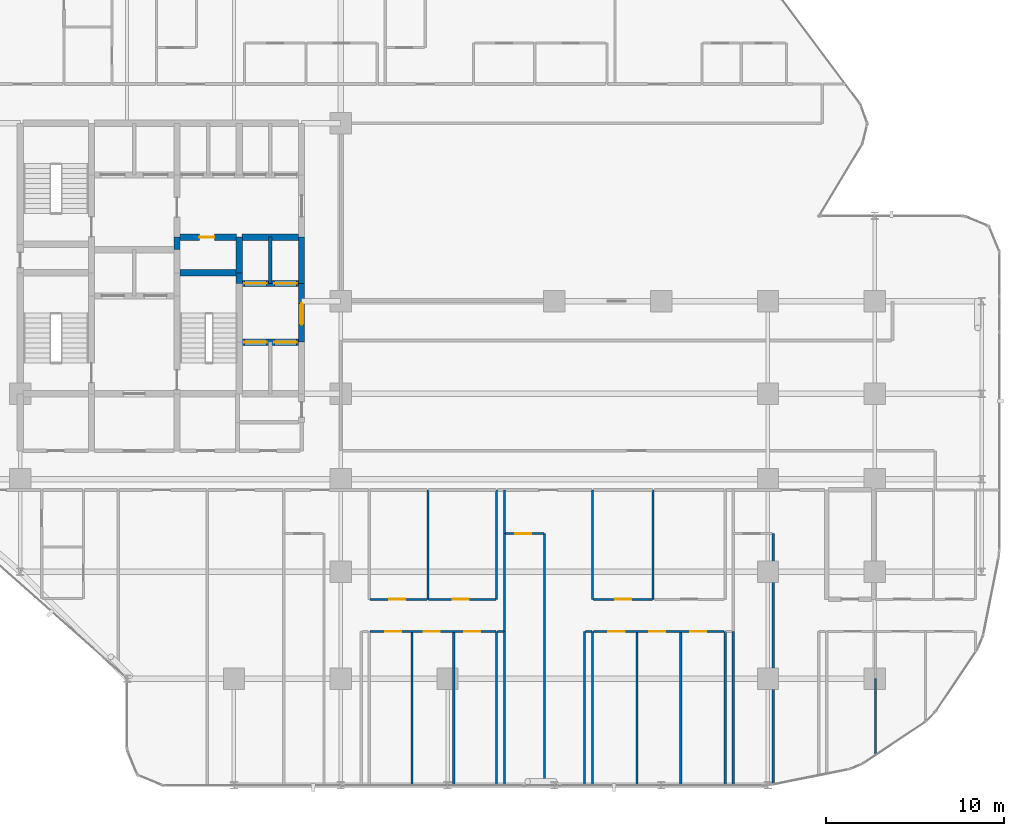
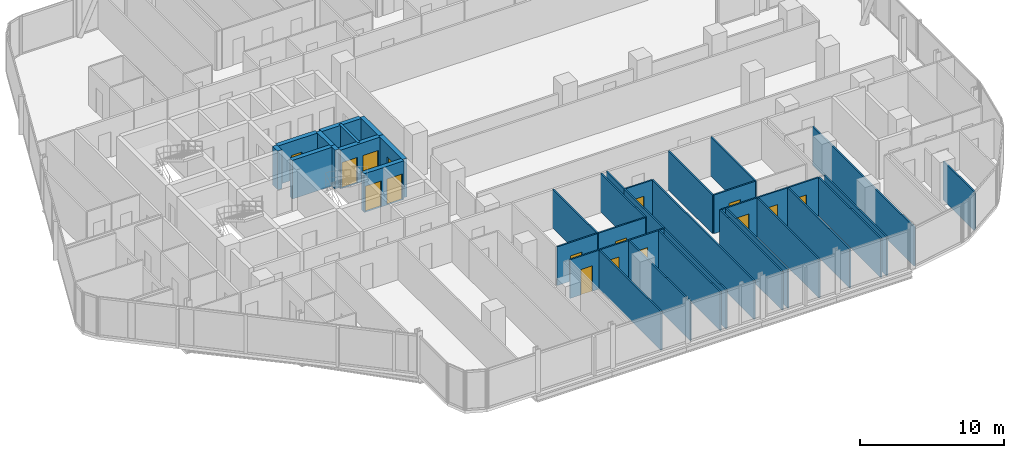
# One storey, part 28 of 34: 38 walls, 16 doors, 16 openings.
"""IFC4 building model written with IfcOpenShell, lengths in metres."""

import ifcopenshell
import ifcopenshell.guid

model = None  # the IFC model being written
_history = None  # IfcOwnerHistory: only IFC2X3 demands one
_inside = {}  # id of a spatial element -> (the spatial element, [elements in it])
_under = {}  # id of a project, library or spatial element -> (it, [spatial elements below it])
_declared = {}  # id of a project -> (the project, [libraries it declares])
_typed = {}  # id of a type object -> (the type object, [elements of that type])
_made_of = {}  # id of a material, layer set ... -> (it, [elements and type objects made of it])


def new_model(schema):
    """Start an empty IFC model of exactly this schema.

    Asked for "IFC4X3", IfcOpenShell would pick the latest addendum, in which some entities
    have other attributes; the version numbers below select the first issue.
    IFC2X3 requires an IfcOwnerHistory on every rooted entity: one is made here for all.
    """
    global model, _history
    if schema == "IFC4X3":
        model = ifcopenshell.file(schema_version=(4, 3, 0, 0))
    else:
        model = ifcopenshell.file(schema=schema)
    _inside.clear()
    _under.clear()
    _declared.clear()
    _typed.clear()
    _made_of.clear()
    _history = None
    if model.schema == "IFC2X3":
        org = make("IfcOrganization", Name="unknown")
        user = make(
            "IfcPersonAndOrganization",
            ThePerson=make("IfcPerson", FamilyName="unknown"),
            TheOrganization=org,
        )
        app = make(
            "IfcApplication",
            ApplicationDeveloper=org,
            Version="unknown",
            ApplicationFullName="unknown",
            ApplicationIdentifier="unknown",
        )
        _history = make(
            "IfcOwnerHistory",
            OwningUser=user,
            OwningApplication=app,
            ChangeAction="ADDED",
            CreationDate=0,
        )
    return model


def make(cls, **values):
    """One entity of the class cls with the attributes given. An attribute that is None is left unset."""
    return model.create_entity(
        cls, **{name: value for name, value in values.items() if value is not None}
    )


def rooted(cls, **values):
    """An entity with a GlobalId (a new one), such as an element, a storey or a relation."""
    return make(cls, GlobalId=ifcopenshell.guid.new(), OwnerHistory=_history, **values)


def si_unit(unit_type, name, prefix=None):
    """IfcSIUnit, for example si_unit("LENGTHUNIT", "METRE", prefix="MILLI")."""
    return make("IfcSIUnit", UnitType=unit_type, Prefix=prefix, Name=name)


def assignment(units):
    """IfcUnitAssignment: the units of a project."""
    return None if units is None else make("IfcUnitAssignment", Units=units)


def point(xyz):
    """IfcCartesianPoint."""
    return None if xyz is None else make("IfcCartesianPoint", Coordinates=xyz)


def direction(xyz):
    """IfcDirection."""
    return None if xyz is None else make("IfcDirection", DirectionRatios=xyz)


def frame(location, z_axis=None, x_axis=None):
    """IfcAxis2Placement3D, a coordinate frame: its origin and axes. An axis left out is left unset."""
    return make(
        "IfcAxis2Placement3D",
        Location=point(location),
        Axis=direction(z_axis),
        RefDirection=direction(x_axis),
    )


def frame_2d(location, x_axis=None):
    """IfcAxis2Placement2D, a coordinate frame in the plane: its origin and x axis."""
    return make(
        "IfcAxis2Placement2D", Location=point(location), RefDirection=direction(x_axis)
    )


def origin():
    """The frame at (0, 0, 0) with its axes left unset."""
    return frame((0.0, 0.0, 0.0))


def place(relative_to, where):
    """IfcLocalPlacement: puts the frame where relative to a parent placement (None: the world)."""
    return make(
        "IfcLocalPlacement", PlacementRelTo=relative_to, RelativePlacement=where
    )


def context(
    kind, dimensions, precision=None, world=None, true_north=None, identifier=None
):
    """IfcGeometricRepresentationContext, for example the 3D "Model" context."""
    return make(
        "IfcGeometricRepresentationContext",
        ContextIdentifier=identifier,
        ContextType=kind,
        CoordinateSpaceDimension=dimensions,
        Precision=precision,
        WorldCoordinateSystem=world,
        TrueNorth=true_north,
    )


def subcontext(parent, identifier, kind, view, scale=None):
    """IfcGeometricRepresentationSubContext, for example "Body" below "Model"."""
    return make(
        "IfcGeometricRepresentationSubContext",
        ContextIdentifier=identifier,
        ContextType=kind,
        ParentContext=parent,
        TargetScale=scale,
        TargetView=view,
    )


def project(units=None, contexts=None):
    """IfcProject with its units and contexts."""
    return rooted(
        "IfcProject",
        Name="project",
        RepresentationContexts=contexts,
        UnitsInContext=assignment(units),
    )


def spatial(cls, under=None, at=None, **own):
    """A site, building, storey or space (cls), placed at a placement, below another one or the project."""
    s = rooted(cls, ObjectPlacement=at, **own)
    if under is not None:
        _under.setdefault(under.id(), (under, []))[1].append(s)
    return s


def profile(cls, at=None, kind="AREA", **sizes):
    """A parametric profile (cls). Its sizes go by their IFC names, for example OverallWidth=200.0."""
    return make(cls, ProfileType=kind, Position=at, **sizes)


def rectangle(**sizes):
    """IfcRectangleProfileDef."""
    return profile("IfcRectangleProfileDef", **sizes)


def extrude(swept, where, along, depth):
    """IfcExtrudedAreaSolid: the profile swept, set in the frame where, extruded along a direction by depth."""
    return make(
        "IfcExtrudedAreaSolid",
        SweptArea=swept,
        Position=where,
        ExtrudedDirection=direction(along),
        Depth=depth,
    )


def shape(context_of_items, identifier, shape_type, items):
    """IfcShapeRepresentation: the items that make up one representation, for example the "Body"."""
    return make(
        "IfcShapeRepresentation",
        ContextOfItems=context_of_items,
        RepresentationIdentifier=identifier,
        RepresentationType=shape_type,
        Items=items,
    )


def material(Name=None, Category=None):
    """IfcMaterial."""
    return make("IfcMaterial", Name=Name, Category=Category)


def layer(
    of_material, thickness, ventilated=None, Name=None, Category=None, Priority=None
):
    """IfcMaterialLayer: one layer of a wall or slab, of a material (None: an air gap)."""
    return make(
        "IfcMaterialLayer",
        Material=of_material,
        LayerThickness=thickness,
        IsVentilated=ventilated,
        Name=Name,
        Category=Category,
        Priority=Priority,
    )


def layer_set(layers, Name=None):
    """IfcMaterialLayerSet."""
    return make("IfcMaterialLayerSet", MaterialLayers=layers, LayerSetName=Name)


def made_of(thing, what):
    """Note that an element or type object is made of a material, layer set ...; save() writes the relation."""
    if what is not None:
        _made_of.setdefault(what.id(), (what, []))[1].append(thing)
    return thing


def type_object(cls, material=None, **own):
    """A type object (cls), such as IfcWallType, which elements share."""
    return made_of(rooted(cls, **own), material)


def element(
    cls,
    number,
    at=None,
    inside=None,
    cuts=None,
    type_object=None,
    material=None,
    context=None,
    identifier="Body",
    shape_type=None,
    held_by="IfcProductDefinitionShape",
    body=None,
    shapes=None,
    **own,
):
    """One element of the class cls, such as IfcWall. Its Tag is "e" and its number.

    at: its placement. inside: the storey or other place that contains it. cuts: it is an
    opening in that element (IfcRelVoidsElement). A single representation is given by context,
    identifier, shape_type and body (its items); several are given by shapes. held_by: the class
    of the entity that holds the representations. save() writes the other relations.
    """
    e = rooted(cls, Tag="e%d" % number, ObjectPlacement=at, **own)
    if body is not None:
        shapes = [shape(context, identifier, shape_type, body)]
    if shapes is not None:
        e.Representation = make(held_by, Representations=shapes)
    if inside is not None:
        _inside.setdefault(inside.id(), (inside, []))[1].append(e)
    if cuts is not None:
        rooted(
            "IfcRelVoidsElement", RelatingBuildingElement=cuts, RelatedOpeningElement=e
        )
    if type_object is not None:
        _typed.setdefault(type_object.id(), (type_object, []))[1].append(e)
    return made_of(e, material)


def fill(opening, filler):
    """IfcRelFillsElement: the door or window that sits in an opening."""
    return rooted(
        "IfcRelFillsElement",
        RelatingOpeningElement=opening,
        RelatedBuildingElement=filler,
    )


def aggregate(whole, parts):
    """IfcRelAggregates: a whole, such as a stair, and the parts it consists of."""
    return rooted("IfcRelAggregates", RelatingObject=whole, RelatedObjects=parts)


def save(model, path):
    """Write the relations noted so far, then the file.

    IfcRelAggregates (storeys below a building ...), IfcRelContainedInSpatialStructure (elements
    in a storey), IfcRelDefinesByType, IfcRelAssociatesMaterial and IfcRelDeclares: one each for
    every whole, place, type object, material and project.
    """
    for whole, parts in _under.values():
        aggregate(whole, parts)
    for where, things in _inside.values():
        rooted(
            "IfcRelContainedInSpatialStructure",
            RelatedElements=things,
            RelatingStructure=where,
        )
    for kind, things in _typed.values():
        rooted("IfcRelDefinesByType", RelatedObjects=things, RelatingType=kind)
    for what, things in _made_of.values():
        rooted("IfcRelAssociatesMaterial", RelatedObjects=things, RelatingMaterial=what)
    for by, libraries in _declared.values():
        rooted("IfcRelDeclares", RelatingContext=by, RelatedDefinitions=libraries)
    model.write(path)


model = new_model("IFC4")

# Units and contexts
model_context = context("Model", 3, precision=1e-05, world=origin(), true_north=direction((0.0, 1.0)))
body_context = subcontext(model_context, "Body", "Model", "MODEL_VIEW")
ifc_project = project(units=[si_unit("LENGTHUNIT", "METRE"), si_unit("AREAUNIT", "SQUARE_METRE"), si_unit("VOLUMEUNIT", "CUBIC_METRE"), si_unit("PLANEANGLEUNIT", "RADIAN"), si_unit("MASSUNIT", "GRAM", prefix="KILO")], contexts=[model_context])

# Site, building, storey
site_placement = place(None, origin())
site = spatial("IfcSite", under=ifc_project, at=site_placement, CompositionType="ELEMENT")
building_placement = place(site_placement, origin())
building = spatial("IfcBuilding", under=site, at=building_placement, Name="Keshet Zoharim Tower", CompositionType="ELEMENT")
storey_placement = place(building_placement, frame((0.0, 0.0, 77.5)))
storey = spatial("IfcBuildingStorey", under=building, at=storey_placement, Name="L18", CompositionType="ELEMENT", Elevation=77.5)

# Walls
ifc_material_1 = material(Name="Concrete C60/75", Category="concrete")
ifc_layer_1 = layer(ifc_material_1, 0.35009765625)
ifc_layer_set_1 = layer_set([ifc_layer_1], Name="Concrete C60/75")
wall_type_1 = type_object("IfcWallType", Name="WL-CORE-350", PredefinedType="SHEAR", material=ifc_layer_set_1)
wall_1_placement = place(storey_placement, frame((23.800048828125, 30.800048828125, 0.0), z_axis=(0.0, 0.0, 1.0), x_axis=(0.0, 1.0, 0.0)))
element("IfcWall", 1, at=wall_1_placement, inside=storey, type_object=wall_type_1, Name="L18 Core Shear Wall 037", PredefinedType="SHEAR", context=body_context, shape_type="SweptSolid", body=[
    extrude(rectangle(XDim=0.699951171875, YDim=0.35009765625, at=frame_2d((0.35009765625, 0.0))), origin(), (0.0, 0.0, 1.0), 3.280029296875),
])
wall_2_placement = place(storey_placement, frame((27.300048828125, 28.89990234375, 0.0), z_axis=(0.0, 0.0, 1.0), x_axis=(0.0, 1.0, 0.0)))
element("IfcWall", 2, at=wall_2_placement, inside=storey, type_object=wall_type_1, Name="L18 Core Shear Wall 048", PredefinedType="SHEAR", context=body_context, shape_type="SweptSolid", body=[
    extrude(rectangle(XDim=0.60009765625, YDim=0.35009765625, at=frame_2d((0.300048828125, 0.0))), origin(), (0.0, 0.0, 1.0), 3.280029296875),
])
wall_3_placement = place(storey_placement, frame((27.300048828125, 29.5, 0.0), z_axis=(0.0, 0.0, 1.0), x_axis=(0.0, 1.0, 0.0)))
element("IfcWall", 3, at=wall_3_placement, inside=storey, type_object=wall_type_1, Name="L18 Core Shear Wall 049", PredefinedType="SHEAR", context=body_context, shape_type="SweptSolid", body=[
    extrude(rectangle(XDim=2.0, YDim=0.35009765625, at=frame_2d((1.0, 0.0))), origin(), (0.0, 0.0, 1.0), 3.280029296875),
])

# Wall, opening, door
wall_4_placement = place(storey_placement, frame((30.800048828125, 25.60009765625, 0.0), z_axis=(0.0, 0.0, 1.0), x_axis=(0.0, 1.0, 0.0)))
wall_4 = element("IfcWall", 4, at=wall_4_placement, inside=storey, type_object=wall_type_1, Name="L18 Core Shear Wall 062", PredefinedType="SHEAR", context=body_context, shape_type="SweptSolid", body=[
    extrude(rectangle(XDim=3.2998046875, YDim=0.35009765625, at=frame_2d((1.64990234375, 0.0))), origin(), (0.0, 0.0, 1.0), 3.280029296875),
])
opening_1_placement = place(wall_4_placement, frame((0.97802734375, 0.0, 0.0)))
opening_1 = element("IfcOpeningElement", 5, at=opening_1_placement, cuts=wall_4, Name="Opening D-F612", PredefinedType="OPENING", context=body_context, shape_type="SweptSolid", body=[
    extrude(rectangle(XDim=1.199951171875, YDim=2.199951171875, at=frame_2d((0.60009765625, 1.10009765625))), frame((0.0, 0.18505859375, 0.0), z_axis=(0.0, -1.0, 0.0), x_axis=(1.0, 0.0, 0.0)), (0.0, 0.0, 1.0), 0.3701171875),
])
ifc_material_2 = material(Name="Hardwood Timber", Category="wood")
door_type_1 = type_object("IfcDoorType", Name="DR-FD60-120", OperationType="NOTDEFINED", PredefinedType="DOOR", material=ifc_material_2)
door_1_placement = place(opening_1_placement, origin())
door_1 = element("IfcDoor", 6, at=door_1_placement, inside=storey, type_object=door_type_1, Name="L18 East Lift Lobby Fire Door", OperationType="SINGLE_SWING_RIGHT", OverallHeight=2.199951171875, OverallWidth=1.199951171875, PredefinedType="DOOR", context=body_context, shape_type="SweptSolid", body=[
    extrude(rectangle(XDim=1.199951171875, YDim=2.199951171875, at=frame_2d((0.60009765625, 1.10009765625))), frame((0.0, 0.02490234375, 0.0), z_axis=(0.0, -1.0, 0.0), x_axis=(1.0, 0.0, 0.0)), (0.0, 0.0, 1.0), 0.050048828125),
])
fill(opening_1, door_1)

# Wall
wall_5_placement = place(storey_placement, frame((30.800048828125, 28.89990234375, 0.0), z_axis=(0.0, 0.0, 1.0), x_axis=(0.0, 1.0, 0.0)))
element("IfcWall", 7, at=wall_5_placement, inside=storey, type_object=wall_type_1, Name="L18 Core Shear Wall 063", PredefinedType="SHEAR", context=body_context, shape_type="SweptSolid", body=[
    extrude(rectangle(XDim=2.60009765625, YDim=0.35009765625, at=frame_2d((1.300048828125, 0.0))), origin(), (0.0, 0.0, 1.0), 3.280029296875),
])

# Wall, openings, doors
wall_6_placement = place(storey_placement, frame((27.4599609375, 25.60009765625, 0.0), z_axis=(0.0, 0.0, 1.0), x_axis=(1.0, 0.0, 0.0)))
wall_6 = element("IfcWall", 8, at=wall_6_placement, inside=storey, type_object=wall_type_1, Name="L18 Core Shear Wall 178", PredefinedType="SHEAR", context=body_context, shape_type="SweptSolid", body=[
    extrude(rectangle(XDim=3.179931640625, YDim=0.35009765625, at=frame_2d((1.58984375, 0.0))), origin(), (0.0, 0.0, 1.0), 3.280029296875),
])
opening_2_placement = place(wall_6_placement, frame((0.1201171875, 0.0, 0.0)))
opening_2 = element("IfcOpeningElement", 9, at=opening_2_placement, cuts=wall_6, Name="Opening LD-01", PredefinedType="OPENING", context=body_context, shape_type="SweptSolid", body=[
    extrude(rectangle(XDim=1.25, YDim=2.199951171875, at=frame_2d((0.625, 1.10009765625))), frame((0.0, 0.18505859375, 0.0), z_axis=(0.0, -1.0, 0.0), x_axis=(1.0, 0.0, 0.0)), (0.0, 0.0, 1.0), 0.3701171875),
])
opening_3_placement = place(wall_6_placement, frame((1.81005859375, 0.0, 0.0)))
opening_3 = element("IfcOpeningElement", 10, at=opening_3_placement, cuts=wall_6, Name="Opening LD-01", PredefinedType="OPENING", context=body_context, shape_type="SweptSolid", body=[
    extrude(rectangle(XDim=1.25, YDim=2.199951171875, at=frame_2d((0.625, 1.10009765625))), frame((0.0, 0.18505859375, 0.0), z_axis=(0.0, -1.0, 0.0), x_axis=(1.0, 0.0, 0.0)), (0.0, 0.0, 1.0), 0.3701171875),
])
ifc_material_3 = material(Name="Steel S355", Category="steel")
door_type_2 = type_object("IfcDoorType", Name="DR-LD01-125", OperationType="DOUBLE_DOOR_SLIDING", PredefinedType="DOOR", material=ifc_material_3)
door_2_placement = place(opening_2_placement, origin())
door_2 = element("IfcDoor", 11, at=door_2_placement, inside=storey, type_object=door_type_2, Name="L18 Passenger Lift Landing Door LF-07", OperationType="DOUBLE_DOOR_SLIDING", OverallHeight=2.199951171875, OverallWidth=1.25, PredefinedType="DOOR", context=body_context, shape_type="SweptSolid", body=[
    extrude(rectangle(XDim=1.25, YDim=2.199951171875, at=frame_2d((0.625, 1.10009765625))), frame((0.0, 0.02490234375, 0.0), z_axis=(0.0, -1.0, 0.0), x_axis=(1.0, 0.0, 0.0)), (0.0, 0.0, 1.0), 0.050048828125),
])
fill(opening_2, door_2)
door_3_placement = place(opening_3_placement, origin())
door_3 = element("IfcDoor", 12, at=door_3_placement, inside=storey, type_object=door_type_2, Name="L18 Passenger Lift Landing Door LF-08", OperationType="DOUBLE_DOOR_SLIDING", OverallHeight=2.199951171875, OverallWidth=1.25, PredefinedType="DOOR", context=body_context, shape_type="SweptSolid", body=[
    extrude(rectangle(XDim=1.25, YDim=2.199951171875, at=frame_2d((0.625, 1.10009765625))), frame((0.0, 0.02490234375, 0.0), z_axis=(0.0, -1.0, 0.0), x_axis=(1.0, 0.0, 0.0)), (0.0, 0.0, 1.0), 0.050048828125),
])
fill(opening_3, door_3)

wall_7_placement = place(storey_placement, frame((27.4599609375, 28.89990234375, 0.0), z_axis=(0.0, 0.0, 1.0), x_axis=(1.0, 0.0, 0.0)))
wall_7 = element("IfcWall", 13, at=wall_7_placement, inside=storey, type_object=wall_type_1, Name="L18 Core Shear Wall 186", PredefinedType="SHEAR", context=body_context, shape_type="SweptSolid", body=[
    extrude(rectangle(XDim=3.179931640625, YDim=0.35009765625, at=frame_2d((1.58984375, 0.0))), origin(), (0.0, 0.0, 1.0), 3.280029296875),
])
opening_4_placement = place(wall_7_placement, frame((0.1201171875, 0.0, 0.0)))
opening_4 = element("IfcOpeningElement", 14, at=opening_4_placement, cuts=wall_7, Name="Opening LD-01", PredefinedType="OPENING", context=body_context, shape_type="SweptSolid", body=[
    extrude(rectangle(XDim=1.25, YDim=2.199951171875, at=frame_2d((0.625, 1.10009765625))), frame((0.0, 0.18505859375, 0.0), z_axis=(0.0, -1.0, 0.0), x_axis=(1.0, 0.0, 0.0)), (0.0, 0.0, 1.0), 0.3701171875),
])
opening_5_placement = place(wall_7_placement, frame((1.81005859375, 0.0, 0.0)))
opening_5 = element("IfcOpeningElement", 15, at=opening_5_placement, cuts=wall_7, Name="Opening LD-01", PredefinedType="OPENING", context=body_context, shape_type="SweptSolid", body=[
    extrude(rectangle(XDim=1.25, YDim=2.199951171875, at=frame_2d((0.625, 1.10009765625))), frame((0.0, 0.18505859375, 0.0), z_axis=(0.0, -1.0, 0.0), x_axis=(1.0, 0.0, 0.0)), (0.0, 0.0, 1.0), 0.3701171875),
])
door_4_placement = place(opening_4_placement, origin())
door_4 = element("IfcDoor", 16, at=door_4_placement, inside=storey, type_object=door_type_2, Name="L18 Passenger Lift Landing Door LF-05", OperationType="DOUBLE_DOOR_SLIDING", OverallHeight=2.199951171875, OverallWidth=1.25, PredefinedType="DOOR", context=body_context, shape_type="SweptSolid", body=[
    extrude(rectangle(XDim=1.25, YDim=2.199951171875, at=frame_2d((0.625, 1.10009765625))), frame((0.0, 0.02490234375, 0.0), z_axis=(0.0, -1.0, 0.0), x_axis=(1.0, 0.0, 0.0)), (0.0, 0.0, 1.0), 0.050048828125),
])
fill(opening_4, door_4)
door_5_placement = place(opening_5_placement, origin())
door_5 = element("IfcDoor", 17, at=door_5_placement, inside=storey, type_object=door_type_2, Name="L18 Passenger Lift Landing Door LF-06", OperationType="DOUBLE_DOOR_SLIDING", OverallHeight=2.199951171875, OverallWidth=1.25, PredefinedType="DOOR", context=body_context, shape_type="SweptSolid", body=[
    extrude(rectangle(XDim=1.25, YDim=2.199951171875, at=frame_2d((0.625, 1.10009765625))), frame((0.0, 0.02490234375, 0.0), z_axis=(0.0, -1.0, 0.0), x_axis=(1.0, 0.0, 0.0)), (0.0, 0.0, 1.0), 0.050048828125),
])
fill(opening_5, door_5)

# Wall
wall_8_placement = place(storey_placement, frame((23.9599609375, 29.5, 0.0), z_axis=(0.0, 0.0, 1.0), x_axis=(1.0, 0.0, 0.0)))
element("IfcWall", 18, at=wall_8_placement, inside=storey, type_object=wall_type_1, Name="L18 Core Shear Wall 188", PredefinedType="SHEAR", context=body_context, shape_type="SweptSolid", body=[
    extrude(rectangle(XDim=3.179931640625, YDim=0.35009765625, at=frame_2d((1.58984375, 0.0))), origin(), (0.0, 0.0, 1.0), 3.280029296875),
])

# Wall, opening, door
wall_9_placement = place(storey_placement, frame((23.9599609375, 31.5, 0.0), z_axis=(0.0, 0.0, 1.0), x_axis=(1.0, 0.0, 0.0)))
wall_9 = element("IfcWall", 19, at=wall_9_placement, inside=storey, type_object=wall_type_1, Name="L18 Core Shear Wall 193", PredefinedType="SHEAR", context=body_context, shape_type="SweptSolid", body=[
    extrude(rectangle(XDim=3.179931640625, YDim=0.35009765625, at=frame_2d((1.58984375, 0.0))), origin(), (0.0, 0.0, 1.0), 3.280029296875),
])
opening_6_placement = place(wall_9_placement, frame((1.093994140625, 0.0, 0.0)))
opening_6 = element("IfcOpeningElement", 20, at=opening_6_placement, cuts=wall_9, Name="Opening D-RS85", PredefinedType="OPENING", context=body_context, shape_type="SweptSolid", body=[
    extrude(rectangle(XDim=0.85009765625, YDim=2.10009765625, at=frame_2d((0.425048828125, 1.050048828125))), frame((0.0, 0.18505859375, 0.0), z_axis=(0.0, -1.0, 0.0), x_axis=(1.0, 0.0, 0.0)), (0.0, 0.0, 1.0), 0.3701171875),
])
door_type_3 = type_object("IfcDoorType", Name="DR-RIS-085", OperationType="NOTDEFINED", PredefinedType="DOOR", material=ifc_material_2)
door_6_placement = place(opening_6_placement, origin())
door_6 = element("IfcDoor", 21, at=door_6_placement, inside=storey, type_object=door_type_3, Name="L18 Telecom Riser Access Cupboard Door", OperationType="SINGLE_SWING_RIGHT", OverallHeight=2.10009765625, OverallWidth=0.85009765625, PredefinedType="DOOR", context=body_context, shape_type="SweptSolid", body=[
    extrude(rectangle(XDim=0.85009765625, YDim=2.10009765625, at=frame_2d((0.425048828125, 1.050048828125))), frame((0.0, 0.02490234375, 0.0), z_axis=(0.0, -1.0, 0.0), x_axis=(1.0, 0.0, 0.0)), (0.0, 0.0, 1.0), 0.050048828125),
])
fill(opening_6, door_6)

# Walls
wall_10_placement = place(storey_placement, frame((27.4599609375, 31.5, 0.0), z_axis=(0.0, 0.0, 1.0), x_axis=(1.0, 0.0, 0.0)))
element("IfcWall", 22, at=wall_10_placement, inside=storey, type_object=wall_type_1, Name="L18 Core Shear Wall 194", PredefinedType="SHEAR", context=body_context, shape_type="SweptSolid", body=[
    extrude(rectangle(XDim=3.179931640625, YDim=0.35009765625, at=frame_2d((1.58984375, 0.0))), origin(), (0.0, 0.0, 1.0), 3.280029296875),
])
ifc_material_4 = material(Name="Concrete C50/60", Category="concrete")
ifc_layer_2 = layer(ifc_material_4, 0.199951171875)
ifc_layer_set_2 = layer_set([ifc_layer_2], Name="Concrete C50/60")
wall_type_2 = type_object("IfcWallType", Name="WL-FIRE-200", PredefinedType="STANDARD", material=ifc_layer_set_2)
wall_11_placement = place(storey_placement, frame((29.050048828125, 28.89990234375, 0.0), z_axis=(0.0, 0.0, 1.0), x_axis=(0.0, 1.0, 0.0)))
element("IfcWall", 23, at=wall_11_placement, inside=storey, type_object=wall_type_2, Name="L18 Interior Wall 054", PredefinedType="STANDARD", context=body_context, shape_type="SweptSolid", body=[
    extrude(rectangle(XDim=2.60009765625, YDim=0.199951171875, at=frame_2d((1.300048828125, 0.0))), origin(), (0.0, 0.0, 1.0), 3.280029296875),
])
ifc_material_5 = material(Name="Gypsum Plasterboard", Category="gypsum")
ifc_layer_3 = layer(ifc_material_5, 0.1201171875)
ifc_layer_set_3 = layer_set([ifc_layer_3], Name="Gypsum Plasterboard")
wall_type_3 = type_object("IfcWallType", Name="WL-PART-120", PredefinedType="PARTITIONING", material=ifc_layer_set_3)
for number, where, z_axis, x_axis, name in (
    (24, (37.0, 0.7099609375, 0.0), (0.0, 0.0, 1.0), (0.0, 1.0, 0.0), "L18 Interior Wall 079"),
    (25, (39.35009765625, 0.7099609375, 0.0), (0.0, 0.0, 1.0), (0.0, 1.0, 0.0), "L18 Interior Wall 082"),
    (26, (41.75, 0.7099609375, 0.0), (0.0, 0.0, 1.0), (0.0, 1.0, 0.0), "L18 Interior Wall 086"),
    (27, (42.199951171875, 0.7099609375, 0.0), (0.0, 0.0, 1.0), (0.0, 1.0, 0.0), "L18 Interior Wall 088"),
):
    element("IfcWall", number, at=place(storey_placement, frame(where, z_axis=z_axis, x_axis=x_axis)), inside=storey, type_object=wall_type_3, Name=name, PredefinedType="PARTITIONING", context=body_context, shape_type="SweptSolid", body=[
        extrude(rectangle(XDim=8.64013671875, YDim=0.1201171875, at=frame_2d((4.320068359375, 0.0))), origin(), (0.0, 0.0, 1.0), 3.280029296875),
    ])
wall_12_placement = place(storey_placement, frame((42.199951171875, 9.35009765625, 0.0), z_axis=(0.0, 0.0, 1.0), x_axis=(0.0, 1.0, 0.0)))
element("IfcWall", 28, at=wall_12_placement, inside=storey, type_object=wall_type_3, Name="L18 Interior Wall 089", PredefinedType="PARTITIONING", context=body_context, shape_type="SweptSolid", body=[
    extrude(rectangle(XDim=5.5, YDim=0.1201171875, at=frame_2d((2.75, 0.0))), origin(), (0.0, 0.0, 1.0), 3.280029296875),
])
wall_13_placement = place(storey_placement, frame((42.199951171875, 14.85009765625, 0.0), z_axis=(0.0, 0.0, 1.0), x_axis=(0.0, 1.0, 0.0)))
element("IfcWall", 29, at=wall_13_placement, inside=storey, type_object=wall_type_3, Name="L18 Interior Wall 090", PredefinedType="PARTITIONING", context=body_context, shape_type="SweptSolid", body=[
    extrude(rectangle(XDim=2.449951171875, YDim=0.1201171875, at=frame_2d((1.22509765625, 0.0))), origin(), (0.0, 0.0, 1.0), 3.280029296875),
])
wall_14_placement = place(storey_placement, frame((44.449951171875, 0.7099609375, 0.0), z_axis=(0.0, 0.0, 1.0), x_axis=(0.0, 1.0, 0.0)))
element("IfcWall", 30, at=wall_14_placement, inside=storey, type_object=wall_type_3, Name="L18 Interior Wall 093", PredefinedType="PARTITIONING", context=body_context, shape_type="SweptSolid", body=[
    extrude(rectangle(XDim=14.14013671875, YDim=0.1201171875, at=frame_2d((7.070068359375, 0.0))), origin(), (0.0, 0.0, 1.0), 3.280029296875),
])
for number, where, z_axis, x_axis, name in (
    (31, (46.699951171875, 0.7099609375, 0.0), (0.0, 0.0, 1.0), (0.0, 1.0, 0.0), "L18 Interior Wall 095"),
    (32, (47.14990234375, 0.7099609375, 0.0), (0.0, 0.0, 1.0), (0.0, 1.0, 0.0), "L18 Interior Wall 096"),
):
    element("IfcWall", number, at=place(storey_placement, frame(where, z_axis=z_axis, x_axis=x_axis)), inside=storey, type_object=wall_type_3, Name=name, PredefinedType="PARTITIONING", context=body_context, shape_type="SweptSolid", body=[
        extrude(rectangle(XDim=8.64013671875, YDim=0.1201171875, at=frame_2d((4.320068359375, 0.0))), origin(), (0.0, 0.0, 1.0), 3.280029296875),
    ])
wall_15_placement = place(storey_placement, frame((47.14990234375, 11.14990234375, 0.0), z_axis=(0.0, 0.0, 1.0), x_axis=(0.0, 1.0, 0.0)))
element("IfcWall", 33, at=wall_15_placement, inside=storey, type_object=wall_type_3, Name="L18 Interior Wall 097", PredefinedType="PARTITIONING", context=body_context, shape_type="SweptSolid", body=[
    extrude(rectangle(XDim=6.150146484375, YDim=0.1201171875, at=frame_2d((3.0751953125, 0.0))), origin(), (0.0, 0.0, 1.0), 3.280029296875),
])
for number, where, z_axis, x_axis, name in (
    (34, (49.64990234375, 0.7099609375, 0.0), (0.0, 0.0, 1.0), (0.0, 1.0, 0.0), "L18 Interior Wall 101"),
    (35, (52.10009765625, 0.7099609375, 0.0), (0.0, 0.0, 1.0), (0.0, 1.0, 0.0), "L18 Interior Wall 103"),
    (36, (54.60009765625, 0.7099609375, 0.0), (0.0, 0.0, 1.0), (0.0, 1.0, 0.0), "L18 Interior Wall 106"),
    (37, (55.050048828125, 0.7099609375, 0.0), (0.0, 0.0, 1.0), (0.0, 1.0, 0.0), "L18 Interior Wall 108"),
):
    element("IfcWall", number, at=place(storey_placement, frame(where, z_axis=z_axis, x_axis=x_axis)), inside=storey, type_object=wall_type_3, Name=name, PredefinedType="PARTITIONING", context=body_context, shape_type="SweptSolid", body=[
        extrude(rectangle(XDim=8.64013671875, YDim=0.1201171875, at=frame_2d((4.320068359375, 0.0))), origin(), (0.0, 0.0, 1.0), 3.280029296875),
    ])
wall_16_placement = place(storey_placement, frame((57.300048828125, 0.76904296875, 0.0), z_axis=(0.0, 0.0, 1.0), x_axis=(0.0, 1.0, 0.0)))
element("IfcWall", 38, at=wall_16_placement, inside=storey, type_object=wall_type_3, Name="L18 Interior Wall 112", PredefinedType="PARTITIONING", context=body_context, shape_type="SweptSolid", body=[
    extrude(rectangle(XDim=14.0810546875, YDim=0.1201171875, at=frame_2d((7.04052734375, 0.0))), origin(), (0.0, 0.0, 1.0), 3.280029296875),
])
wall_17_placement = place(storey_placement, frame((63.050048828125, 2.41796875, 0.0), z_axis=(0.0, 0.0, 1.0), x_axis=(0.0, 1.0, 0.0)))
element("IfcWall", 39, at=wall_17_placement, inside=storey, type_object=wall_type_3, Name="L18 Interior Wall 119", PredefinedType="PARTITIONING", context=body_context, shape_type="SweptSolid", body=[
    extrude(rectangle(XDim=4.281982421875, YDim=0.1201171875, at=frame_2d((2.14111328125, 0.0))), origin(), (0.0, 0.0, 1.0), 3.280029296875),
])

# Wall, openings, doors
wall_18_placement = place(storey_placement, frame((34.635009765625, 9.35009765625, 0.0), z_axis=(0.0, 0.0, 1.0), x_axis=(1.0, 0.0, 0.0)))
wall_18 = element("IfcWall", 40, at=wall_18_placement, inside=storey, type_object=wall_type_3, Name="L18 Interior Wall 127", PredefinedType="PARTITIONING", context=body_context, shape_type="SweptSolid", body=[
    extrude(rectangle(XDim=7.080078125, YDim=0.1201171875, at=frame_2d((3.5400390625, 0.0))), origin(), (0.0, 0.0, 1.0), 3.280029296875),
])
opening_7_placement = place(wall_18_placement, frame((0.875, 0.0, 0.0)))
opening_7 = element("IfcOpeningElement", 41, at=opening_7_placement, cuts=wall_18, Name="Opening D-IN90", PredefinedType="OPENING", context=body_context, shape_type="SweptSolid", body=[
    extrude(rectangle(XDim=0.89990234375, YDim=2.14990234375, at=frame_2d((0.449951171875, 1.074951171875))), frame((0.0, 0.070068359375, 0.0), z_axis=(0.0, -1.0, 0.0), x_axis=(1.0, 0.0, 0.0)), (0.0, 0.0, 1.0), 0.14013671875),
])
opening_8_placement = place(wall_18_placement, frame((3.01904296875, 0.0, 0.0)))
opening_8 = element("IfcOpeningElement", 42, at=opening_8_placement, cuts=wall_18, Name="Opening D-IN90", PredefinedType="OPENING", context=body_context, shape_type="SweptSolid", body=[
    extrude(rectangle(XDim=0.89990234375, YDim=2.14990234375, at=frame_2d((0.449951171875, 1.074951171875))), frame((0.0, 0.070068359375, 0.0), z_axis=(0.0, -1.0, 0.0), x_axis=(1.0, 0.0, 0.0)), (0.0, 0.0, 1.0), 0.14013671875),
])
opening_9_placement = place(wall_18_placement, frame((5.304931640625, 0.0, 0.0)))
opening_9 = element("IfcOpeningElement", 43, at=opening_9_placement, cuts=wall_18, Name="Opening D-IN90", PredefinedType="OPENING", context=body_context, shape_type="SweptSolid", body=[
    extrude(rectangle(XDim=0.89990234375, YDim=2.14990234375, at=frame_2d((0.449951171875, 1.074951171875))), frame((0.0, 0.070068359375, 0.0), z_axis=(0.0, -1.0, 0.0), x_axis=(1.0, 0.0, 0.0)), (0.0, 0.0, 1.0), 0.14013671875),
])
door_type_4 = type_object("IfcDoorType", Name="DR-INT-090", OperationType="NOTDEFINED", PredefinedType="DOOR", material=ifc_material_2)
door_7_placement = place(opening_7_placement, origin())
door_7 = element("IfcDoor", 44, at=door_7_placement, inside=storey, type_object=door_type_4, Name="Apartment 1802 Bedroom 1 Door", OperationType="SINGLE_SWING_RIGHT", OverallHeight=2.14990234375, OverallWidth=0.89990234375, PredefinedType="DOOR", context=body_context, shape_type="SweptSolid", body=[
    extrude(rectangle(XDim=0.89990234375, YDim=2.14990234375, at=frame_2d((0.449951171875, 1.074951171875))), frame((0.0, 0.02490234375, 0.0), z_axis=(0.0, -1.0, 0.0), x_axis=(1.0, 0.0, 0.0)), (0.0, 0.0, 1.0), 0.050048828125),
])
fill(opening_7, door_7)
door_8_placement = place(opening_8_placement, origin())
door_8 = element("IfcDoor", 45, at=door_8_placement, inside=storey, type_object=door_type_4, Name="Apartment 1802 Bedroom 2 Door", OperationType="SINGLE_SWING_LEFT", OverallHeight=2.14990234375, OverallWidth=0.89990234375, PredefinedType="DOOR", context=body_context, shape_type="SweptSolid", body=[
    extrude(rectangle(XDim=0.89990234375, YDim=2.14990234375, at=frame_2d((0.449951171875, 1.074951171875))), frame((0.0, 0.02490234375, 0.0), z_axis=(0.0, -1.0, 0.0), x_axis=(1.0, 0.0, 0.0)), (0.0, 0.0, 1.0), 0.050048828125),
])
fill(opening_8, door_8)
door_9_placement = place(opening_9_placement, origin())
door_9 = element("IfcDoor", 46, at=door_9_placement, inside=storey, type_object=door_type_4, Name="Apartment 1802 Bedroom 3 Door", OperationType="SINGLE_SWING_RIGHT", OverallHeight=2.14990234375, OverallWidth=0.89990234375, PredefinedType="DOOR", context=body_context, shape_type="SweptSolid", body=[
    extrude(rectangle(XDim=0.89990234375, YDim=2.14990234375, at=frame_2d((0.449951171875, 1.074951171875))), frame((0.0, 0.02490234375, 0.0), z_axis=(0.0, -1.0, 0.0), x_axis=(1.0, 0.0, 0.0)), (0.0, 0.0, 1.0), 0.050048828125),
])
fill(opening_9, door_9)

# Walls
wall_19_placement = place(storey_placement, frame((41.804931640625, 9.35009765625, 0.0), z_axis=(0.0, 0.0, 1.0), x_axis=(1.0, 0.0, 0.0)))
element("IfcWall", 47, at=wall_19_placement, inside=storey, type_object=wall_type_3, Name="L18 Interior Wall 128", PredefinedType="PARTITIONING", context=body_context, shape_type="SweptSolid", body=[
    extrude(rectangle(XDim=0.360107421875, YDim=0.1201171875, at=frame_2d((0.18017578125, 0.0))), origin(), (0.0, 0.0, 1.0), 3.280029296875),
])
wall_20_placement = place(storey_placement, frame((46.7451171875, 9.35009765625, 0.0), z_axis=(0.0, 0.0, 1.0), x_axis=(1.0, 0.0, 0.0)))
element("IfcWall", 48, at=wall_20_placement, inside=storey, type_object=wall_type_3, Name="L18 Interior Wall 129", PredefinedType="PARTITIONING", context=body_context, shape_type="SweptSolid", body=[
    extrude(rectangle(XDim=0.35986328125, YDim=0.1201171875, at=frame_2d((0.179931640625, 0.0))), origin(), (0.0, 0.0, 1.0), 3.280029296875),
])

# Wall, openings, doors
wall_21_placement = place(storey_placement, frame((47.195068359375, 9.35009765625, 0.0), z_axis=(0.0, 0.0, 1.0), x_axis=(1.0, 0.0, 0.0)))
wall_21 = element("IfcWall", 49, at=wall_21_placement, inside=storey, type_object=wall_type_3, Name="L18 Interior Wall 130", PredefinedType="PARTITIONING", context=body_context, shape_type="SweptSolid", body=[
    extrude(rectangle(XDim=7.33984375, YDim=0.1201171875, at=frame_2d((3.669921875, 0.0))), origin(), (0.0, 0.0, 1.0), 3.280029296875),
])
opening_10_placement = place(wall_21_placement, frame((0.845947265625, 0.0, 0.0)))
opening_10 = element("IfcOpeningElement", 50, at=opening_10_placement, cuts=wall_21, Name="Opening D-IN90", PredefinedType="OPENING", context=body_context, shape_type="SweptSolid", body=[
    extrude(rectangle(XDim=0.89990234375, YDim=2.14990234375, at=frame_2d((0.449951171875, 1.074951171875))), frame((0.0, 0.070068359375, 0.0), z_axis=(0.0, -1.0, 0.0), x_axis=(1.0, 0.0, 0.0)), (0.0, 0.0, 1.0), 0.14013671875),
])
opening_11_placement = place(wall_21_placement, frame((3.14501953125, 0.0, 0.0)))
opening_11 = element("IfcOpeningElement", 51, at=opening_11_placement, cuts=wall_21, Name="Opening D-IN90", PredefinedType="OPENING", context=body_context, shape_type="SweptSolid", body=[
    extrude(rectangle(XDim=0.89990234375, YDim=2.14990234375, at=frame_2d((0.449951171875, 1.074951171875))), frame((0.0, 0.070068359375, 0.0), z_axis=(0.0, -1.0, 0.0), x_axis=(1.0, 0.0, 0.0)), (0.0, 0.0, 1.0), 0.14013671875),
])
opening_12_placement = place(wall_21_placement, frame((5.448974609375, 0.0, 0.0)))
opening_12 = element("IfcOpeningElement", 52, at=opening_12_placement, cuts=wall_21, Name="Opening D-IN90", PredefinedType="OPENING", context=body_context, shape_type="SweptSolid", body=[
    extrude(rectangle(XDim=0.89990234375, YDim=2.14990234375, at=frame_2d((0.449951171875, 1.074951171875))), frame((0.0, 0.070068359375, 0.0), z_axis=(0.0, -1.0, 0.0), x_axis=(1.0, 0.0, 0.0)), (0.0, 0.0, 1.0), 0.14013671875),
])
door_10_placement = place(opening_10_placement, origin())
door_10 = element("IfcDoor", 53, at=door_10_placement, inside=storey, type_object=door_type_4, Name="Apartment 1803 Bedroom 1 Door", OperationType="SINGLE_SWING_LEFT", OverallHeight=2.14990234375, OverallWidth=0.89990234375, PredefinedType="DOOR", context=body_context, shape_type="SweptSolid", body=[
    extrude(rectangle(XDim=0.89990234375, YDim=2.14990234375, at=frame_2d((0.449951171875, 1.074951171875))), frame((0.0, 0.02490234375, 0.0), z_axis=(0.0, -1.0, 0.0), x_axis=(1.0, 0.0, 0.0)), (0.0, 0.0, 1.0), 0.050048828125),
])
fill(opening_10, door_10)
door_11_placement = place(opening_11_placement, origin())
door_11 = element("IfcDoor", 54, at=door_11_placement, inside=storey, type_object=door_type_4, Name="Apartment 1803 Bedroom 2 Door", OperationType="SINGLE_SWING_RIGHT", OverallHeight=2.14990234375, OverallWidth=0.89990234375, PredefinedType="DOOR", context=body_context, shape_type="SweptSolid", body=[
    extrude(rectangle(XDim=0.89990234375, YDim=2.14990234375, at=frame_2d((0.449951171875, 1.074951171875))), frame((0.0, 0.02490234375, 0.0), z_axis=(0.0, -1.0, 0.0), x_axis=(1.0, 0.0, 0.0)), (0.0, 0.0, 1.0), 0.050048828125),
])
fill(opening_11, door_11)
door_12_placement = place(opening_12_placement, origin())
door_12 = element("IfcDoor", 55, at=door_12_placement, inside=storey, type_object=door_type_4, Name="Apartment 1803 Bedroom 3 Door", OperationType="SINGLE_SWING_LEFT", OverallHeight=2.14990234375, OverallWidth=0.89990234375, PredefinedType="DOOR", context=body_context, shape_type="SweptSolid", body=[
    extrude(rectangle(XDim=0.89990234375, YDim=2.14990234375, at=frame_2d((0.449951171875, 1.074951171875))), frame((0.0, 0.02490234375, 0.0), z_axis=(0.0, -1.0, 0.0), x_axis=(1.0, 0.0, 0.0)), (0.0, 0.0, 1.0), 0.050048828125),
])
fill(opening_12, door_12)

# Wall, opening, door
wall_22_placement = place(storey_placement, frame((34.635009765625, 11.14990234375, 0.0), z_axis=(0.0, 0.0, 1.0), x_axis=(1.0, 0.0, 0.0)))
wall_22 = element("IfcWall", 56, at=wall_22_placement, inside=storey, type_object=wall_type_3, Name="L18 Interior Wall 134", PredefinedType="PARTITIONING", context=body_context, shape_type="SweptSolid", body=[
    extrude(rectangle(XDim=3.2080078125, YDim=0.1201171875, at=frame_2d((1.60400390625, 0.0))), origin(), (0.0, 0.0, 1.0), 3.280029296875),
])
opening_13_placement = place(wall_22_placement, frame((1.0810546875, 0.0, 0.0)))
opening_13 = element("IfcOpeningElement", 57, at=opening_13_placement, cuts=wall_22, Name="Opening D-IN90", PredefinedType="OPENING", context=body_context, shape_type="SweptSolid", body=[
    extrude(rectangle(XDim=0.89990234375, YDim=2.14990234375, at=frame_2d((0.449951171875, 1.074951171875))), frame((0.0, 0.070068359375, 0.0), z_axis=(0.0, -1.0, 0.0), x_axis=(1.0, 0.0, 0.0)), (0.0, 0.0, 1.0), 0.14013671875),
])
door_13_placement = place(opening_13_placement, origin())
door_13 = element("IfcDoor", 58, at=door_13_placement, inside=storey, type_object=door_type_4, Name="Apartment 1802 Kitchen Door", OperationType="SINGLE_SWING_LEFT", OverallHeight=2.14990234375, OverallWidth=0.89990234375, PredefinedType="DOOR", context=body_context, shape_type="SweptSolid", body=[
    extrude(rectangle(XDim=0.89990234375, YDim=2.14990234375, at=frame_2d((0.449951171875, 1.074951171875))), frame((0.0, 0.02490234375, 0.0), z_axis=(0.0, -1.0, 0.0), x_axis=(1.0, 0.0, 0.0)), (0.0, 0.0, 1.0), 0.050048828125),
])
fill(opening_13, door_13)

wall_23_placement = place(storey_placement, frame((47.195068359375, 11.14990234375, 0.0), z_axis=(0.0, 0.0, 1.0), x_axis=(1.0, 0.0, 0.0)))
wall_23 = element("IfcWall", 59, at=wall_23_placement, inside=storey, type_object=wall_type_3, Name="L18 Interior Wall 136", PredefinedType="PARTITIONING", context=body_context, shape_type="SweptSolid", body=[
    extrude(rectangle(XDim=3.327880859375, YDim=0.1201171875, at=frame_2d((1.6640625, 0.0))), origin(), (0.0, 0.0, 1.0), 3.280029296875),
])
opening_14_placement = place(wall_23_placement, frame((1.214111328125, 0.0, 0.0)))
opening_14 = element("IfcOpeningElement", 60, at=opening_14_placement, cuts=wall_23, Name="Opening D-IN90", PredefinedType="OPENING", context=body_context, shape_type="SweptSolid", body=[
    extrude(rectangle(XDim=0.89990234375, YDim=2.14990234375, at=frame_2d((0.449951171875, 1.074951171875))), frame((0.0, 0.070068359375, 0.0), z_axis=(0.0, -1.0, 0.0), x_axis=(1.0, 0.0, 0.0)), (0.0, 0.0, 1.0), 0.14013671875),
])
door_14_placement = place(opening_14_placement, origin())
door_14 = element("IfcDoor", 61, at=door_14_placement, inside=storey, type_object=door_type_4, Name="Apartment 1803 Kitchen Door", OperationType="SINGLE_SWING_LEFT", OverallHeight=2.14990234375, OverallWidth=0.89990234375, PredefinedType="DOOR", context=body_context, shape_type="SweptSolid", body=[
    extrude(rectangle(XDim=0.89990234375, YDim=2.14990234375, at=frame_2d((0.449951171875, 1.074951171875))), frame((0.0, 0.02490234375, 0.0), z_axis=(0.0, -1.0, 0.0), x_axis=(1.0, 0.0, 0.0)), (0.0, 0.0, 1.0), 0.050048828125),
])
fill(opening_14, door_14)

wall_24_placement = place(storey_placement, frame((42.2548828125, 14.85009765625, 0.0), z_axis=(0.0, 0.0, 1.0), x_axis=(1.0, 0.0, 0.0)))
wall_24 = element("IfcWall", 62, at=wall_24_placement, inside=storey, type_object=wall_type_3, Name="L18 Interior Wall 144", PredefinedType="PARTITIONING", context=body_context, shape_type="SweptSolid", body=[
    extrude(rectangle(XDim=2.16015625, YDim=0.1201171875, at=frame_2d((1.080078125, 0.0))), origin(), (0.0, 0.0, 1.0), 3.280029296875),
])
opening_15_placement = place(wall_24_placement, frame((0.552978515625, 0.0, 0.0)))
opening_15 = element("IfcOpeningElement", 63, at=opening_15_placement, cuts=wall_24, Name="Opening D-IN90", PredefinedType="OPENING", context=body_context, shape_type="SweptSolid", body=[
    extrude(rectangle(XDim=0.89990234375, YDim=2.14990234375, at=frame_2d((0.449951171875, 1.074951171875))), frame((0.0, 0.070068359375, 0.0), z_axis=(0.0, -1.0, 0.0), x_axis=(1.0, 0.0, 0.0)), (0.0, 0.0, 1.0), 0.14013671875),
])
door_15_placement = place(opening_15_placement, origin())
door_15 = element("IfcDoor", 64, at=door_15_placement, inside=storey, type_object=door_type_4, Name="Apartment 1803 Formal Dining Room Door", OperationType="SINGLE_SWING_LEFT", OverallHeight=2.14990234375, OverallWidth=0.89990234375, PredefinedType="DOOR", context=body_context, shape_type="SweptSolid", body=[
    extrude(rectangle(XDim=0.89990234375, YDim=2.14990234375, at=frame_2d((0.449951171875, 1.074951171875))), frame((0.0, 0.02490234375, 0.0), z_axis=(0.0, -1.0, 0.0), x_axis=(1.0, 0.0, 0.0)), (0.0, 0.0, 1.0), 0.050048828125),
])
fill(opening_15, door_15)

# Walls
ifc_layer_4 = layer(ifc_material_5, 0.1201171875)
ifc_layer_set_4 = layer_set([ifc_layer_4], Name="Gypsum Plasterboard")
wall_type_4 = type_object("IfcWallType", Name="WL-WET-120", PredefinedType="PARTITIONING", material=ifc_layer_set_4)
for number, where, z_axis, x_axis, name in (
    (65, (37.89990234375, 11.14990234375, 0.0), (0.0, 0.0, 1.0), (0.0, 1.0, 0.0), "L18 Interior Wall 081"),
    (66, (41.75, 11.14990234375, 0.0), (0.0, 0.0, 1.0), (0.0, 1.0, 0.0), "L18 Interior Wall 087"),
    (67, (50.550048828125, 11.14990234375, 0.0), (0.0, 0.0, 1.0), (0.0, 1.0, 0.0), "L18 Interior Wall 102"),
):
    element("IfcWall", number, at=place(storey_placement, frame(where, z_axis=z_axis, x_axis=x_axis)), inside=storey, type_object=wall_type_4, Name=name, PredefinedType="PARTITIONING", context=body_context, shape_type="SweptSolid", body=[
        extrude(rectangle(XDim=6.150146484375, YDim=0.1201171875, at=frame_2d((3.0751953125, 0.0))), origin(), (0.0, 0.0, 1.0), 3.280029296875),
    ])

# Wall, opening, door
wall_25_placement = place(storey_placement, frame((37.93310546875, 11.14990234375, 0.0), z_axis=(0.0, 0.0, 1.0), x_axis=(1.0, 0.0, 0.0)))
wall_25 = element("IfcWall", 68, at=wall_25_placement, inside=storey, type_object=wall_type_4, Name="L18 Interior Wall 135", PredefinedType="PARTITIONING", context=body_context, shape_type="SweptSolid", body=[
    extrude(rectangle(XDim=3.781982421875, YDim=0.1201171875, at=frame_2d((1.89111328125, 0.0))), origin(), (0.0, 0.0, 1.0), 3.280029296875),
])
opening_16_placement = place(wall_25_placement, frame((1.368896484375, 0.0, 0.0)))
opening_16 = element("IfcOpeningElement", 69, at=opening_16_placement, cuts=wall_25, Name="Opening D-WT90", PredefinedType="OPENING", context=body_context, shape_type="SweptSolid", body=[
    extrude(rectangle(XDim=0.89990234375, YDim=2.10009765625, at=frame_2d((0.449951171875, 1.050048828125))), frame((0.0, 0.070068359375, 0.0), z_axis=(0.0, -1.0, 0.0), x_axis=(1.0, 0.0, 0.0)), (0.0, 0.0, 1.0), 0.14013671875),
])
door_type_5 = type_object("IfcDoorType", Name="DR-WET-090", OperationType="NOTDEFINED", PredefinedType="DOOR", material=ifc_material_2)
door_16_placement = place(opening_16_placement, origin())
door_16 = element("IfcDoor", 70, at=door_16_placement, inside=storey, type_object=door_type_5, Name="Apartment 1802 Bathroom Door", OperationType="SINGLE_SWING_RIGHT", OverallHeight=2.10009765625, OverallWidth=0.89990234375, PredefinedType="DOOR", context=body_context, shape_type="SweptSolid", body=[
    extrude(rectangle(XDim=0.89990234375, YDim=2.10009765625, at=frame_2d((0.449951171875, 1.050048828125))), frame((0.0, 0.02490234375, 0.0), z_axis=(0.0, -1.0, 0.0), x_axis=(1.0, 0.0, 0.0)), (0.0, 0.0, 1.0), 0.050048828125),
])
fill(opening_16, door_16)

save(model, "model.ifc")
